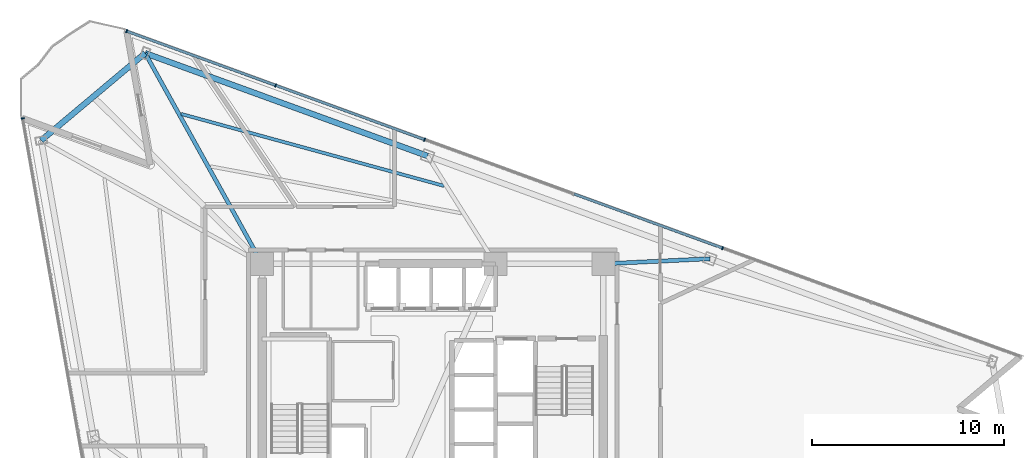
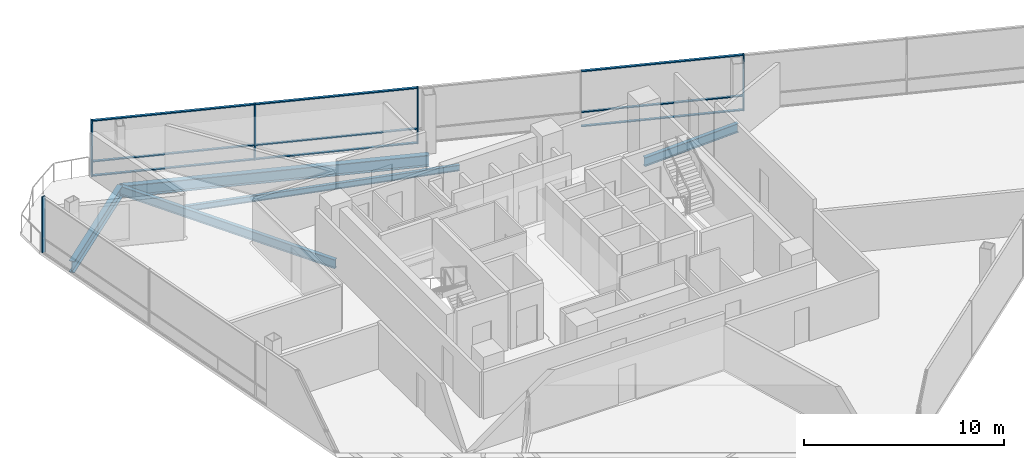
# One storey, part 7 of 16: 14 members, 5 beams, 2 elements without a shape of their own.
"""IFC4 building model written with IfcOpenShell, lengths in metres."""

from ifc_helpers import new_model, si_unit, direction, frame, origin, origin_2d, place, context, subcontext, project, spatial, rectangle, i_section, extrude, material, layer, layer_set, material_profile, profile_set, type_object, element, aggregate, save


model = new_model("IFC4")

# Units and contexts
model_context = context("Model", 3, precision=1e-05, world=origin(), true_north=direction((0.0, 1.0)))
body_context = subcontext(model_context, "Body", "Model", "MODEL_VIEW")
ifc_project = project(units=[si_unit("LENGTHUNIT", "METRE"), si_unit("AREAUNIT", "SQUARE_METRE"), si_unit("VOLUMEUNIT", "CUBIC_METRE"), si_unit("PLANEANGLEUNIT", "RADIAN"), si_unit("MASSUNIT", "GRAM", prefix="KILO")], contexts=[model_context])

# Site, building, storey
site_placement = place(None, origin())
site = spatial("IfcSite", under=ifc_project, at=site_placement, CompositionType="ELEMENT")
building_placement = place(site_placement, origin())
building = spatial("IfcBuilding", under=site, at=building_placement, Name="Tharavind Bronze Gate", CompositionType="ELEMENT")
storey_placement = place(building_placement, frame((0.0, 0.0, 188.5)))
storey = spatial("IfcBuildingStorey", under=building, at=storey_placement, Name="L48", CompositionType="ELEMENT", Elevation=188.5)

# Curtain wall, member
ifc_material_1 = material(Name="Anodised Bronze Aluminium", Category="aluminium")
ifc_layer = layer(ifc_material_1, 0.219970703125)
ifc_layer_set = layer_set([ifc_layer], Name="Anodised Bronze Aluminium")
curtain_wall_type = type_object("IfcCurtainWallType", Name="UNITISED CURTAIN WALL MID OFFICE", PredefinedType="USERDEFINED", material=ifc_layer_set)
curtain_wall_1_placement = place(storey_placement, origin())
curtain_wall_1 = element("IfcCurtainWall", 1, at=curtain_wall_1_placement, inside=storey, type_object=curtain_wall_type, Name="L48 unitised curtain wall mid office CW-L48-S1", ObjectType="UNITISED CURTAIN WALL", PredefinedType="USERDEFINED")
member_type_1 = type_object("IfcMemberType", Name="CURTAIN WALL BRONZE MULLION 65X180", PredefinedType="MULLION", material=ifc_material_1)
member_1_placement = place(storey_placement, frame((-21.396728515625, 15.1923828125, 0.0), z_axis=(0.0, 0.0, 1.0), x_axis=(0.173648177667, -0.984807753012, 0.0)))
member_1 = element("IfcMember", 2, at=member_1_placement, type_object=member_type_1, Name="CW-L48-S1 mullion 1", PredefinedType="MULLION", context=body_context, shape_type="SweptSolid", body=[
    extrude(rectangle(XDim=0.06494140625, YDim=0.179931640625, at=origin_2d()), origin(), (0.0, 0.0, 1.0), 3.419921875),
])
aggregate(curtain_wall_1, [member_1])

# Curtain wall, members
curtain_wall_2_placement = place(storey_placement, origin())
curtain_wall_2 = element("IfcCurtainWall", 3, at=curtain_wall_2_placement, inside=storey, type_object=curtain_wall_type, Name="L48 unitised curtain wall mid office CW-L48-S3", ObjectType="UNITISED CURTAIN WALL", PredefinedType="USERDEFINED")
member_2_placement = place(storey_placement, frame((15.12451171875, 8.424560546875, 0.0), z_axis=(0.0, 0.0, 1.0), x_axis=(-0.939692023847, 0.342021783398, 0.0)))
member_2 = element("IfcMember", 4, at=member_2_placement, type_object=member_type_1, Name="CW-L48-S3 mullion 3", PredefinedType="MULLION", context=body_context, shape_type="SweptSolid", body=[
    extrude(rectangle(XDim=0.06494140625, YDim=0.179931640625, at=origin_2d()), origin(), (0.0, 0.0, 1.0), 3.419921875),
])
member_3_placement = place(storey_placement, frame((-0.42431640625, 14.083984375, 0.0), z_axis=(0.0, 0.0, 1.0), x_axis=(-0.939692023847, 0.342021783398, 0.0)))
member_3 = element("IfcMember", 5, at=member_3_placement, type_object=member_type_1, Name="CW-L48-S3 mullion 5", PredefinedType="MULLION", context=body_context, shape_type="SweptSolid", body=[
    extrude(rectangle(XDim=0.06494140625, YDim=0.179931640625, at=origin_2d()), origin(), (0.0, 0.0, 1.0), 3.419921875),
])
member_4_placement = place(storey_placement, frame((-8.19873046875, 16.91357421875, 0.0), z_axis=(0.0, 0.0, 1.0), x_axis=(-0.939692023847, 0.342021783398, 0.0)))
member_4 = element("IfcMember", 6, at=member_4_placement, type_object=member_type_1, Name="CW-L48-S3 mullion 6", PredefinedType="MULLION", context=body_context, shape_type="SweptSolid", body=[
    extrude(rectangle(XDim=0.06494140625, YDim=0.179931640625, at=origin_2d()), origin(), (0.0, 0.0, 1.0), 3.419921875),
])
member_5_placement = place(storey_placement, frame((-15.97314453125, 19.743408203125, 0.0), z_axis=(0.0, 0.0, 1.0), x_axis=(-0.939692023847, 0.342021783398, 0.0)))
member_5 = element("IfcMember", 7, at=member_5_placement, type_object=member_type_1, Name="CW-L48-S3 mullion 7", PredefinedType="MULLION", context=body_context, shape_type="SweptSolid", body=[
    extrude(rectangle(XDim=0.06494140625, YDim=0.179931640625, at=origin_2d()), origin(), (0.0, 0.0, 1.0), 3.419921875),
])
member_type_2 = type_object("IfcMemberType", Name="CURTAIN WALL BRONZE TRANSOM 65X140", PredefinedType="USERDEFINED", material=ifc_material_1)
member_6_placement = place(storey_placement, frame((11.2373046875, 9.839599609375, 0.0), z_axis=(0.0, 0.0, 1.0), x_axis=(-0.939692023847, 0.342021783398, 0.0)))
member_6 = element("IfcMember", 8, at=member_6_placement, type_object=member_type_2, Name="CW-L48-S3 transom TB3", ObjectType="TRANSOM", PredefinedType="USERDEFINED", context=body_context, shape_type="SweptSolid", body=[
    extrude(rectangle(XDim=8.220458984375, YDim=0.139892578125, at=origin_2d()), origin(), (0.0, 0.0, 1.0), 0.06494140625),
])
member_7_placement = place(storey_placement, frame((11.2373046875, 9.839599609375, 0.867431640625), z_axis=(0.0, 0.0, 1.0), x_axis=(-0.939692023847, 0.342021783398, 0.0)))
member_7 = element("IfcMember", 9, at=member_7_placement, type_object=member_type_2, Name="CW-L48-S3 transom TS3", ObjectType="TRANSOM", PredefinedType="USERDEFINED", context=body_context, shape_type="SweptSolid", body=[
    extrude(rectangle(XDim=8.220458984375, YDim=0.139892578125, at=origin_2d()), origin(), (0.0, 0.0, 1.0), 0.06494140625),
])
member_8_placement = place(storey_placement, frame((11.2373046875, 9.839599609375, 3.35498046875), z_axis=(0.0, 0.0, 1.0), x_axis=(-0.939692023847, 0.342021783398, 0.0)))
member_8 = element("IfcMember", 10, at=member_8_placement, type_object=member_type_2, Name="CW-L48-S3 transom TT3", ObjectType="TRANSOM", PredefinedType="USERDEFINED", context=body_context, shape_type="SweptSolid", body=[
    extrude(rectangle(XDim=8.220458984375, YDim=0.139892578125, at=origin_2d()), origin(), (0.0, 0.0, 1.0), 0.06494140625),
])
member_9_placement = place(storey_placement, frame((-4.3115234375, 15.498779296875, 0.0), z_axis=(0.0, 0.0, 1.0), x_axis=(-0.939692023847, 0.342021783398, 0.0)))
member_9 = element("IfcMember", 11, at=member_9_placement, type_object=member_type_2, Name="CW-L48-S3 transom TB5", ObjectType="TRANSOM", PredefinedType="USERDEFINED", context=body_context, shape_type="SweptSolid", body=[
    extrude(rectangle(XDim=8.220458984375, YDim=0.139892578125, at=origin_2d()), origin(), (0.0, 0.0, 1.0), 0.06494140625),
])
member_10_placement = place(storey_placement, frame((-4.3115234375, 15.498779296875, 0.867431640625), z_axis=(0.0, 0.0, 1.0), x_axis=(-0.939692023847, 0.342021783398, 0.0)))
member_10 = element("IfcMember", 12, at=member_10_placement, type_object=member_type_2, Name="CW-L48-S3 transom TS5", ObjectType="TRANSOM", PredefinedType="USERDEFINED", context=body_context, shape_type="SweptSolid", body=[
    extrude(rectangle(XDim=8.220458984375, YDim=0.139892578125, at=origin_2d()), origin(), (0.0, 0.0, 1.0), 0.06494140625),
])
member_11_placement = place(storey_placement, frame((-4.3115234375, 15.498779296875, 3.35498046875), z_axis=(0.0, 0.0, 1.0), x_axis=(-0.939692023847, 0.342021783398, 0.0)))
member_11 = element("IfcMember", 13, at=member_11_placement, type_object=member_type_2, Name="CW-L48-S3 transom TT5", ObjectType="TRANSOM", PredefinedType="USERDEFINED", context=body_context, shape_type="SweptSolid", body=[
    extrude(rectangle(XDim=8.220458984375, YDim=0.139892578125, at=origin_2d()), origin(), (0.0, 0.0, 1.0), 0.06494140625),
])
member_12_placement = place(storey_placement, frame((-12.0859375, 18.32861328125, 0.0), z_axis=(0.0, 0.0, 1.0), x_axis=(-0.939692023847, 0.342021783398, 0.0)))
member_12 = element("IfcMember", 14, at=member_12_placement, type_object=member_type_2, Name="CW-L48-S3 transom TB6", ObjectType="TRANSOM", PredefinedType="USERDEFINED", context=body_context, shape_type="SweptSolid", body=[
    extrude(rectangle(XDim=8.220458984375, YDim=0.139892578125, at=origin_2d()), origin(), (0.0, 0.0, 1.0), 0.06494140625),
])
member_13_placement = place(storey_placement, frame((-12.0859375, 18.32861328125, 0.867431640625), z_axis=(0.0, 0.0, 1.0), x_axis=(-0.939692023847, 0.342021783398, 0.0)))
member_13 = element("IfcMember", 15, at=member_13_placement, type_object=member_type_2, Name="CW-L48-S3 transom TS6", ObjectType="TRANSOM", PredefinedType="USERDEFINED", context=body_context, shape_type="SweptSolid", body=[
    extrude(rectangle(XDim=8.220458984375, YDim=0.139892578125, at=origin_2d()), origin(), (0.0, 0.0, 1.0), 0.06494140625),
])
member_14_placement = place(storey_placement, frame((-12.0859375, 18.32861328125, 3.35498046875), z_axis=(0.0, 0.0, 1.0), x_axis=(-0.939692023847, 0.342021783398, 0.0)))
member_14 = element("IfcMember", 16, at=member_14_placement, type_object=member_type_2, Name="CW-L48-S3 transom TT6", ObjectType="TRANSOM", PredefinedType="USERDEFINED", context=body_context, shape_type="SweptSolid", body=[
    extrude(rectangle(XDim=8.220458984375, YDim=0.139892578125, at=origin_2d()), origin(), (0.0, 0.0, 1.0), 0.06494140625),
])
aggregate(curtain_wall_2, [member_2, member_3, member_4, member_5, member_6, member_7, member_8, member_9, member_10, member_11, member_12, member_13, member_14])

# Beams
ifc_material_2 = material(Name="Steel S355", Category="steel")
ifc_material_profile_1 = material_profile(ifc_material_2, i_section(OverallWidth=0.2099609375, OverallDepth=0.550048828125, WebThickness=0.010986328125, FlangeThickness=0.01708984375, at=origin_2d()), Name="IPE550")
ifc_profile_set_1 = profile_set([ifc_material_profile_1], Name="Steel S355")
beam_type_1 = type_object("IfcBeamType", Name="PRIMARY GIRDER IPE550", PredefinedType="USERDEFINED", material=ifc_profile_set_1)
beam_1_placement = place(storey_placement, frame((14.461181640625, 7.867919921875, -0.455078125), z_axis=(-0.998842397835, -0.048102643243, 0.0), x_axis=(0.048102643243, -0.998842397835, 0.0)))
element("IfcBeam", 17, at=beam_1_placement, inside=storey, type_object=beam_type_1, Name="L48 primary girder ipe550 BM-L48-RAD10", ObjectType="GIRDER", PredefinedType="USERDEFINED", context=body_context, shape_type="SweptSolid", body=[
    extrude(i_section(OverallWidth=0.2099609375, OverallDepth=0.550048828125, WebThickness=0.010986328125, FlangeThickness=0.01708984375, at=origin_2d()), origin(), (0.0, 0.0, 1.0), 5.567626953125),
])
beam_2_placement = place(storey_placement, frame((-15.0087890625, 18.59423828125, -0.455078125), z_axis=(0.485705558329, -0.874122480324, 0.0), x_axis=(0.874122480324, 0.485705558329, 0.0)))
element("IfcBeam", 18, at=beam_2_placement, inside=storey, type_object=beam_type_1, Name="L48 primary girder ipe550 BM-L48-RAD12", ObjectType="GIRDER", PredefinedType="USERDEFINED", context=body_context, shape_type="SweptSolid", body=[
    extrude(i_section(OverallWidth=0.2099609375, OverallDepth=0.550048828125, WebThickness=0.010986328125, FlangeThickness=0.01708984375, at=origin_2d()), origin(), (0.0, 0.0, 1.0), 12.577392578125),
])
ifc_material_profile_2 = material_profile(ifc_material_2, i_section(OverallWidth=0.300048828125, OverallDepth=0.699951171875, WebThickness=0.01708984375, FlangeThickness=0.031982421875, at=origin_2d()), Name="HE700B")
ifc_profile_set_2 = profile_set([ifc_material_profile_2], Name="Steel S355")
beam_type_2 = type_object("IfcBeamType", Name="RING GIRDER HE700B", PredefinedType="USERDEFINED", material=ifc_profile_set_2)
beam_3_placement = place(storey_placement, frame((-0.27392578125, 13.231201171875, -0.530029296875), z_axis=(-0.939692918618, 0.342019325037, 0.0), x_axis=(-0.342019325037, -0.939692918618, 0.0)))
element("IfcBeam", 19, at=beam_3_placement, inside=storey, type_object=beam_type_2, Name="L48 ring girder he700b BM-L48-PRG11", ObjectType="GIRDER", PredefinedType="USERDEFINED", context=body_context, shape_type="SweptSolid", body=[
    extrude(i_section(OverallWidth=0.300048828125, OverallDepth=0.699951171875, WebThickness=0.01708984375, FlangeThickness=0.031982421875, at=origin_2d()), origin(), (0.0, 0.0, 1.0), 15.680419921875),
])
beam_4_placement = place(storey_placement, frame((-15.0087890625, 18.59423828125, -0.530029296875), z_axis=(-0.766051869817, -0.642778758789, 0.0), x_axis=(0.642778758789, -0.766051869817, 0.0)))
element("IfcBeam", 20, at=beam_4_placement, inside=storey, type_object=beam_type_2, Name="L48 ring girder he700b BM-L48-PRG12", ObjectType="GIRDER", PredefinedType="USERDEFINED", context=body_context, shape_type="SweptSolid", body=[
    extrude(i_section(OverallWidth=0.300048828125, OverallDepth=0.699951171875, WebThickness=0.01708984375, FlangeThickness=0.031982421875, at=origin_2d()), origin(), (0.0, 0.0, 1.0), 7.080322265625),
])
ifc_material_profile_3 = material_profile(ifc_material_2, i_section(OverallWidth=0.169921875, OverallDepth=0.360107421875, WebThickness=0.008056640625, FlangeThickness=0.0126953125, at=origin_2d()), Name="IPE360")
ifc_profile_set_3 = profile_set([ifc_material_profile_3], Name="Steel S355")
beam_type_3 = type_object("IfcBeamType", Name="SECONDARY FLOOR JOIST IPE360", PredefinedType="JOIST", material=ifc_profile_set_3)
beam_5_placement = place(storey_placement, frame((0.5849609375, 11.66845703125, -0.360107421875), z_axis=(-0.964511642121, 0.264040323081, 0.0), x_axis=(-0.264040323081, -0.964511642121, 0.0)))
element("IfcBeam", 21, at=beam_5_placement, inside=storey, type_object=beam_type_3, Name="L48 secondary floor joist ipe360 BM-L48-JSTB11", PredefinedType="JOIST", context=body_context, shape_type="SweptSolid", body=[
    extrude(i_section(OverallWidth=0.169921875, OverallDepth=0.360107421875, WebThickness=0.008056640625, FlangeThickness=0.0126953125, at=origin_2d()), origin(), (0.0, 0.0, 1.0), 14.211669921875),
])

save(model, "model.ifc")
